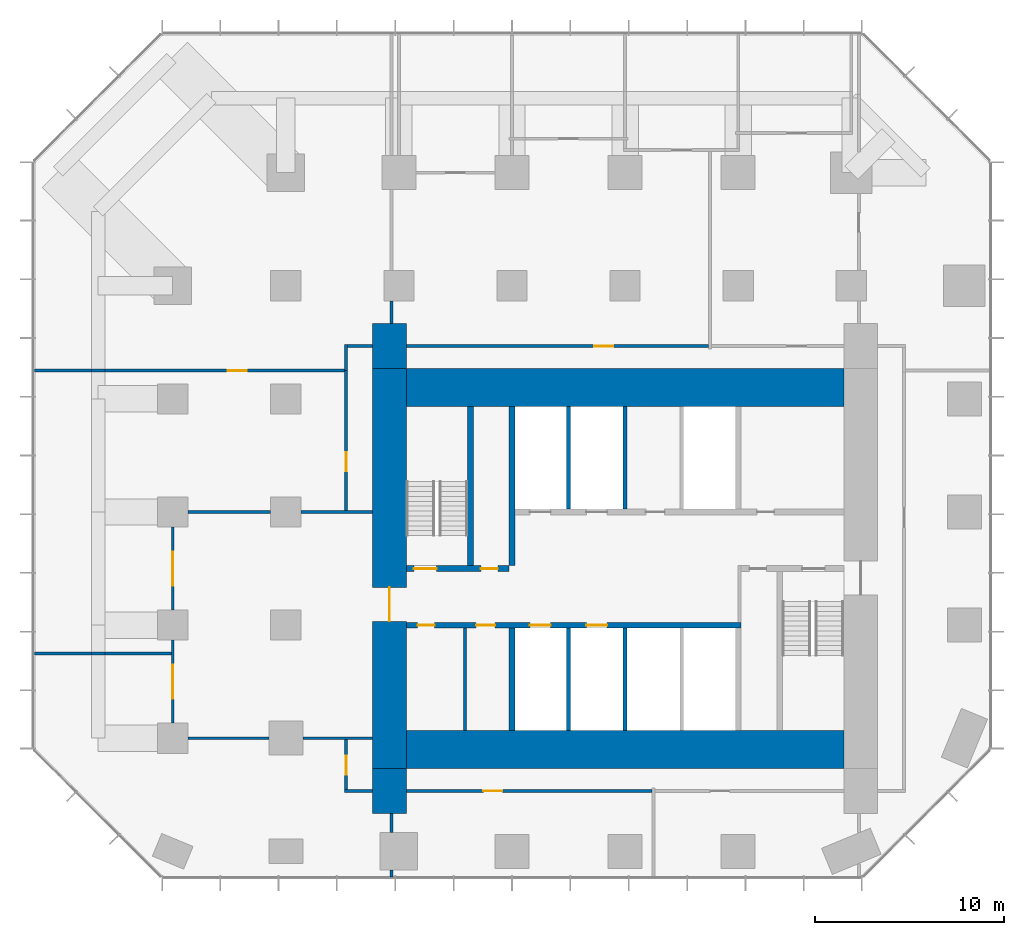
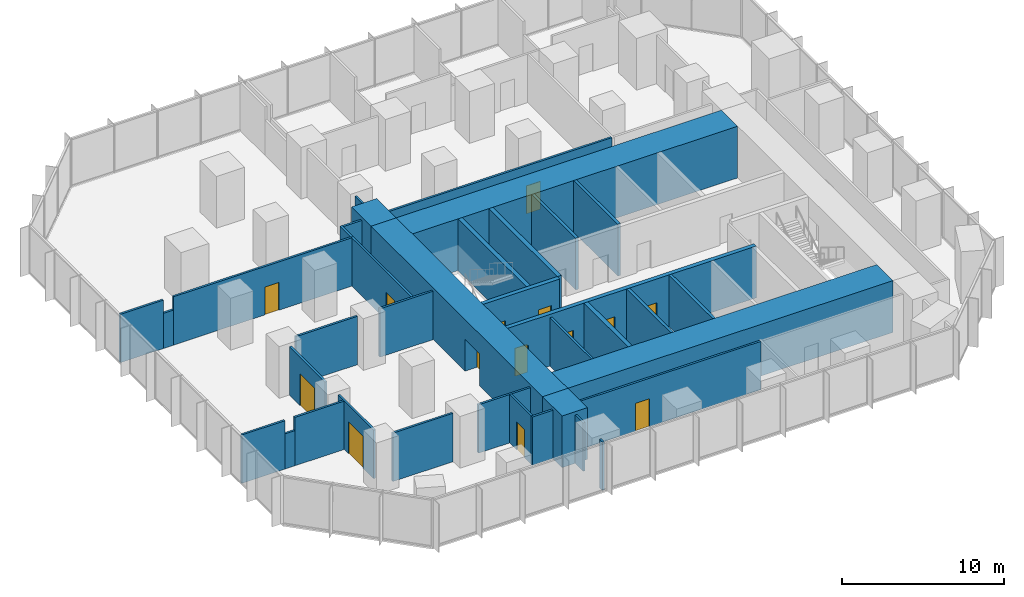
# One storey, part 8 of 11: 37 walls, 14 doors, 14 openings.
"""IFC4 building model written with IfcOpenShell, lengths in metres."""

from ifc_helpers import new_model, si_unit, direction, frame, frame_2d, origin, place, context, subcontext, project, spatial, rectangle, extrude, material, layer, layer_set, type_object, element, fill, save


model = new_model("IFC4")

# Units and contexts
model_context = context("Model", 3, precision=1e-05, world=origin(), true_north=direction((0.0, 1.0)))
body_context = subcontext(model_context, "Body", "Model", "MODEL_VIEW")
ifc_project = project(units=[si_unit("LENGTHUNIT", "METRE"), si_unit("AREAUNIT", "SQUARE_METRE"), si_unit("VOLUMEUNIT", "CUBIC_METRE"), si_unit("PLANEANGLEUNIT", "RADIAN"), si_unit("MASSUNIT", "GRAM", prefix="KILO")], contexts=[model_context])

# Site, building, storey
site_placement = place(None, origin())
site = spatial("IfcSite", under=ifc_project, at=site_placement, CompositionType="ELEMENT")
building_placement = place(site_placement, origin())
building = spatial("IfcBuilding", under=site, at=building_placement, Name="Highveld Stack Headquarters", CompositionType="ELEMENT")
storey_placement = place(building_placement, frame((0.0, 0.0, 93.800048828125)))
storey = spatial("IfcBuildingStorey", under=building, at=storey_placement, Name="L22", CompositionType="ELEMENT", Elevation=93.800048828125)

# Wall, opening, door
ifc_material_1 = material(Name="Concrete C60/75", Category="concrete")
ifc_layer_1 = layer(ifc_material_1, 1.800048828125)
ifc_layer_set_1 = layer_set([ifc_layer_1], Name="Concrete C60/75")
wall_type_1 = type_object("IfcWallType", Name="CORE WALL 1800 C60/75", PredefinedType="SHEAR", material=ifc_layer_set_1)
wall_1_placement = place(storey_placement, frame((-6.5, -7.60009765625, 0.0), z_axis=(0.0, 0.0, 1.0), x_axis=(0.0, 1.0, 0.0)))
wall_1 = element("IfcWall", 1, at=wall_1_placement, inside=storey, type_object=wall_type_1, Name="Core wall W L22", PredefinedType="SHEAR", context=body_context, shape_type="SweptSolid", body=[
    extrude(rectangle(XDim=21.2001953125, YDim=1.800048828125, at=frame_2d((10.60009765625, 0.0))), origin(), (0.0, 0.0, 1.0), 3.89990234375),
])
opening_1_placement = place(wall_1_placement, frame((7.800048828125, 0.0, 0.0)))
opening_1 = element("IfcOpeningElement", 2, at=opening_1_placement, cuts=wall_1, Name="Opening L22-01", PredefinedType="OPENING", context=body_context, shape_type="SweptSolid", body=[
    extrude(rectangle(XDim=1.800048828125, YDim=2.39990234375, at=frame_2d((0.89990234375, 1.199951171875))), frame((0.0, 0.909912109375, 0.0), z_axis=(0.0, -1.0, 0.0), x_axis=(1.0, 0.0, 0.0)), (0.0, 0.0, 1.0), 1.820068359375),
])
ifc_material_2 = material(Name="Steel fire door", Category="steel")
door_type_1 = type_object("IfcDoorType", Name="LOBBY FIRE DOOR D4 1800x2400", OperationType="DOUBLE_DOOR_SINGLE_SWING", PredefinedType="DOOR", material=ifc_material_2)
door_1_placement = place(opening_1_placement, origin())
door_1 = element("IfcDoor", 3, at=door_1_placement, inside=storey, type_object=door_type_1, Name="Core west door L22", OperationType="DOUBLE_DOOR_SINGLE_SWING", OverallHeight=2.39990234375, OverallWidth=1.800048828125, PredefinedType="DOOR", context=body_context, shape_type="SweptSolid", body=[
    extrude(rectangle(XDim=1.800048828125, YDim=2.39990234375, at=frame_2d((0.89990234375, 1.199951171875))), frame((0.0, 0.02490234375, 0.0), z_axis=(0.0, -1.0, 0.0), x_axis=(1.0, 0.0, 0.0)), (0.0, 0.0, 1.0), 0.050048828125),
])
fill(opening_1, door_1)

# Walls
ifc_material_3 = material(Name="Concrete C60/75", Category="concrete")
ifc_layer_2 = layer(ifc_material_3, 2.0)
ifc_layer_set_2 = layer_set([ifc_layer_2], Name="Concrete C60/75")
wall_type_2 = type_object("IfcWallType", Name="CORE WALL 2000 C60/75", PredefinedType="SHEAR", material=ifc_layer_set_2)
for number, where, z_axis, x_axis, name in (
    (4, (-5.60009765625, -6.60009765625, 0.0), (0.0, 0.0, 1.0), (1.0, 0.0, 0.0), "Core wall S L22"),
    (5, (-5.60009765625, 12.60009765625, 0.0), (0.0, 0.0, 1.0), (1.0, 0.0, 0.0), "Core wall N L22"),
):
    element("IfcWall", number, at=place(storey_placement, frame(where, z_axis=z_axis, x_axis=x_axis)), inside=storey, type_object=wall_type_2, Name=name, PredefinedType="SHEAR", context=body_context, shape_type="SweptSolid", body=[
        extrude(rectangle(XDim=23.2001953125, YDim=2.0, at=frame_2d((11.60009765625, 0.0))), origin(), (0.0, 0.0, 1.0), 3.89990234375),
    ])

# Wall, openings, doors
ifc_material_4 = material(Name="Concrete C60/75", Category="concrete")
ifc_layer_3 = layer(ifc_material_4, 0.300048828125)
ifc_layer_set_3 = layer_set([ifc_layer_3], Name="Concrete C60/75")
wall_type_3 = type_object("IfcWallType", Name="CORE WALL 300 C60/75", PredefinedType="SHEAR", material=ifc_layer_set_3)
wall_2_placement = place(storey_placement, frame((-5.60009765625, 0.0, 0.0), z_axis=(0.0, 0.0, 1.0), x_axis=(1.0, 0.0, 0.0)))
wall_2 = element("IfcWall", 6, at=wall_2_placement, inside=storey, type_object=wall_type_3, Name="Core wall I-Y0 L22", PredefinedType="SHEAR", context=body_context, shape_type="SweptSolid", body=[
    extrude(rectangle(XDim=17.75, YDim=0.300048828125, at=frame_2d((8.875, 0.0))), origin(), (0.0, 0.0, 1.0), 3.89990234375),
])
opening_2_placement = place(wall_2_placement, frame((0.60009765625, 0.0, 0.0)))
opening_2 = element("IfcOpeningElement", 7, at=opening_2_placement, cuts=wall_2, Name="Opening L22-07", PredefinedType="OPENING", context=body_context, shape_type="SweptSolid", body=[
    extrude(rectangle(XDim=0.89990234375, YDim=2.10009765625, at=frame_2d((0.449951171875, 1.050048828125))), frame((0.0, 0.159912109375, 0.0), z_axis=(0.0, -1.0, 0.0), x_axis=(1.0, 0.0, 0.0)), (0.0, 0.0, 1.0), 0.320068359375),
])
opening_3_placement = place(wall_2_placement, frame((3.699951171875, 0.0, 0.0)))
opening_3 = element("IfcOpeningElement", 8, at=opening_3_placement, cuts=wall_2, Name="Opening L22-08", PredefinedType="OPENING", context=body_context, shape_type="SweptSolid", body=[
    extrude(rectangle(XDim=1.0, YDim=2.10009765625, at=frame_2d((0.5, 1.050048828125))), frame((0.0, 0.159912109375, 0.0), z_axis=(0.0, -1.0, 0.0), x_axis=(1.0, 0.0, 0.0)), (0.0, 0.0, 1.0), 0.320068359375),
])
opening_4_placement = place(wall_2_placement, frame((6.550048828125, 0.0, 0.0)))
opening_4 = element("IfcOpeningElement", 9, at=opening_4_placement, cuts=wall_2, Name="Opening LD", PredefinedType="OPENING", context=body_context, shape_type="SweptSolid", body=[
    extrude(rectangle(XDim=1.10009765625, YDim=2.10009765625, at=frame_2d((0.550048828125, 1.050048828125))), frame((0.0, 0.159912109375, 0.0), z_axis=(0.0, -1.0, 0.0), x_axis=(1.0, 0.0, 0.0)), (0.0, 0.0, 1.0), 0.320068359375),
])
opening_5_placement = place(wall_2_placement, frame((9.550048828125, 0.0, 0.0)))
opening_5 = element("IfcOpeningElement", 10, at=opening_5_placement, cuts=wall_2, Name="Opening LD", PredefinedType="OPENING", context=body_context, shape_type="SweptSolid", body=[
    extrude(rectangle(XDim=1.10009765625, YDim=2.10009765625, at=frame_2d((0.550048828125, 1.050048828125))), frame((0.0, 0.159912109375, 0.0), z_axis=(0.0, -1.0, 0.0), x_axis=(1.0, 0.0, 0.0)), (0.0, 0.0, 1.0), 0.320068359375),
])
ifc_material_5 = material(Name="Timber door, painted", Category="wood")
door_type_2 = type_object("IfcDoorType", Name="ACCESSIBLE WC DOOR D2 1000x2100", OperationType="SINGLE_SWING_RIGHT", PredefinedType="DOOR", material=ifc_material_5)
door_2_placement = place(opening_3_placement, origin())
door_2 = element("IfcDoor", 11, at=door_2_placement, inside=storey, type_object=door_type_2, Name="Accessible WC door L22", OperationType="SINGLE_SWING_LEFT", OverallHeight=2.10009765625, OverallWidth=1.0, PredefinedType="DOOR", context=body_context, shape_type="SweptSolid", body=[
    extrude(rectangle(XDim=1.0, YDim=2.10009765625, at=frame_2d((0.5, 1.050048828125))), frame((0.0, 0.02490234375, 0.0), z_axis=(0.0, -1.0, 0.0), x_axis=(1.0, 0.0, 0.0)), (0.0, 0.0, 1.0), 0.050048828125),
])
fill(opening_3, door_2)
ifc_material_6 = material(Name="Stainless steel lift landing door", Category="steel")
door_type_3 = type_object("IfcDoorType", Name="LIFT LANDING DOOR LD 1100x2100", OperationType="DOUBLE_DOOR_SLIDING", PredefinedType="USERDEFINED", material=ifc_material_6)
door_3_placement = place(opening_4_placement, origin())
door_3 = element("IfcDoor", 12, at=door_3_placement, inside=storey, type_object=door_type_3, Name="Lift landing door B1 L22", ObjectType="LIFT LANDING DOOR", OperationType="DOUBLE_DOOR_SLIDING", OverallHeight=2.10009765625, OverallWidth=1.10009765625, PredefinedType="USERDEFINED", context=body_context, shape_type="SweptSolid", body=[
    extrude(rectangle(XDim=1.10009765625, YDim=2.10009765625, at=frame_2d((0.550048828125, 1.050048828125))), frame((0.0, 0.02490234375, 0.0), z_axis=(0.0, -1.0, 0.0), x_axis=(1.0, 0.0, 0.0)), (0.0, 0.0, 1.0), 0.050048828125),
])
fill(opening_4, door_3)
door_4_placement = place(opening_5_placement, origin())
door_4 = element("IfcDoor", 13, at=door_4_placement, inside=storey, type_object=door_type_3, Name="Lift landing door B2 L22", ObjectType="LIFT LANDING DOOR", OperationType="DOUBLE_DOOR_SLIDING", OverallHeight=2.10009765625, OverallWidth=1.10009765625, PredefinedType="USERDEFINED", context=body_context, shape_type="SweptSolid", body=[
    extrude(rectangle(XDim=1.10009765625, YDim=2.10009765625, at=frame_2d((0.550048828125, 1.050048828125))), frame((0.0, 0.02490234375, 0.0), z_axis=(0.0, -1.0, 0.0), x_axis=(1.0, 0.0, 0.0)), (0.0, 0.0, 1.0), 0.050048828125),
])
fill(opening_5, door_4)
ifc_material_7 = material(Name="Timber door, painted", Category="wood")
door_type_4 = type_object("IfcDoorType", Name="WC DOOR D1 900x2100", OperationType="SINGLE_SWING_LEFT", PredefinedType="DOOR", material=ifc_material_7)
door_5_placement = place(opening_2_placement, origin())
door_5 = element("IfcDoor", 14, at=door_5_placement, inside=storey, type_object=door_type_4, Name="Female WC door L22", OperationType="SINGLE_SWING_LEFT", OverallHeight=2.10009765625, OverallWidth=0.89990234375, PredefinedType="DOOR", context=body_context, shape_type="SweptSolid", body=[
    extrude(rectangle(XDim=0.89990234375, YDim=2.10009765625, at=frame_2d((0.449951171875, 1.050048828125))), frame((0.0, 0.02490234375, 0.0), z_axis=(0.0, -1.0, 0.0), x_axis=(1.0, 0.0, 0.0)), (0.0, 0.0, 1.0), 0.050048828125),
])
fill(opening_2, door_5)

wall_3_placement = place(storey_placement, frame((-5.60009765625, 3.0, 0.0), z_axis=(0.0, 0.0, 1.0), x_axis=(1.0, 0.0, 0.0)))
wall_3 = element("IfcWall", 15, at=wall_3_placement, inside=storey, type_object=wall_type_3, Name="Core wall I-Y3W L22", PredefinedType="SHEAR", context=body_context, shape_type="SweptSolid", body=[
    extrude(rectangle(XDim=5.4501953125, YDim=0.300048828125, at=frame_2d((2.72509765625, 0.0))), origin(), (0.0, 0.0, 1.0), 3.89990234375),
])
opening_6_placement = place(wall_3_placement, frame((0.39990234375, 0.0, 0.0)))
opening_6 = element("IfcOpeningElement", 16, at=opening_6_placement, cuts=wall_3, Name="Opening L22-03", PredefinedType="OPENING", context=body_context, shape_type="SweptSolid", body=[
    extrude(rectangle(XDim=1.199951171875, YDim=2.10009765625, at=frame_2d((0.60009765625, 1.050048828125))), frame((0.0, 0.159912109375, 0.0), z_axis=(0.0, -1.0, 0.0), x_axis=(1.0, 0.0, 0.0)), (0.0, 0.0, 1.0), 0.320068359375),
])
opening_7_placement = place(wall_3_placement, frame((3.949951171875, 0.0, 0.0)))
opening_7 = element("IfcOpeningElement", 17, at=opening_7_placement, cuts=wall_3, Name="Opening L22-04", PredefinedType="OPENING", context=body_context, shape_type="SweptSolid", body=[
    extrude(rectangle(XDim=0.89990234375, YDim=2.10009765625, at=frame_2d((0.449951171875, 1.050048828125))), frame((0.0, 0.159912109375, 0.0), z_axis=(0.0, -1.0, 0.0), x_axis=(1.0, 0.0, 0.0)), (0.0, 0.0, 1.0), 0.320068359375),
])
ifc_material_8 = material(Name="Steel fire door", Category="steel")
door_type_5 = type_object("IfcDoorType", Name="RISER ACCESS DOOR D5 900x2100", OperationType="SINGLE_SWING_LEFT", PredefinedType="DOOR", material=ifc_material_8)
door_6_placement = place(opening_7_placement, origin())
door_6 = element("IfcDoor", 18, at=door_6_placement, inside=storey, type_object=door_type_5, Name="Riser R1 door L22", OperationType="SINGLE_SWING_RIGHT", OverallHeight=2.10009765625, OverallWidth=0.89990234375, PredefinedType="DOOR", context=body_context, shape_type="SweptSolid", body=[
    extrude(rectangle(XDim=0.89990234375, YDim=2.10009765625, at=frame_2d((0.449951171875, 1.050048828125))), frame((0.0, 0.02490234375, 0.0), z_axis=(0.0, -1.0, 0.0), x_axis=(1.0, 0.0, 0.0)), (0.0, 0.0, 1.0), 0.050048828125),
])
fill(opening_7, door_6)
ifc_material_9 = material(Name="Steel fire door", Category="steel")
door_type_6 = type_object("IfcDoorType", Name="STAIR FIRE DOOR D3 1200x2100", OperationType="SINGLE_SWING_LEFT", PredefinedType="DOOR", material=ifc_material_9)
door_7_placement = place(opening_6_placement, origin())
door_7 = element("IfcDoor", 19, at=door_7_placement, inside=storey, type_object=door_type_6, Name="Stair S1 door L22", OperationType="SINGLE_SWING_LEFT", OverallHeight=2.10009765625, OverallWidth=1.199951171875, PredefinedType="DOOR", context=body_context, shape_type="SweptSolid", body=[
    extrude(rectangle(XDim=1.199951171875, YDim=2.10009765625, at=frame_2d((0.60009765625, 1.050048828125))), frame((0.0, 0.02490234375, 0.0), z_axis=(0.0, -1.0, 0.0), x_axis=(1.0, 0.0, 0.0)), (0.0, 0.0, 1.0), 0.050048828125),
])
fill(opening_6, door_7)

# Walls
wall_4_placement = place(storey_placement, frame((0.0, -5.60009765625, 0.0), z_axis=(0.0, 0.0, 1.0), x_axis=(0.0, 1.0, 0.0)))
element("IfcWall", 20, at=wall_4_placement, inside=storey, type_object=wall_type_3, Name="Core wall I-X0S L22", PredefinedType="SHEAR", context=body_context, shape_type="SweptSolid", body=[
    extrude(rectangle(XDim=5.4501953125, YDim=0.300048828125, at=frame_2d((2.72509765625, 0.0))), origin(), (0.0, 0.0, 1.0), 3.89990234375),
])
for number, where, z_axis, x_axis, name in (
    (21, (0.0, 3.14990234375, 0.0), (0.0, 0.0, 1.0), (0.0, 1.0, 0.0), "Core wall I-X0N L22"),
    (22, (-2.199951171875, 3.14990234375, 0.0), (0.0, 0.0, 1.0), (0.0, 1.0, 0.0), "Core wall I-RW L22"),
):
    element("IfcWall", number, at=place(storey_placement, frame(where, z_axis=z_axis, x_axis=x_axis)), inside=storey, type_object=wall_type_3, Name=name, PredefinedType="SHEAR", context=body_context, shape_type="SweptSolid", body=[
        extrude(rectangle(XDim=8.4501953125, YDim=0.300048828125, at=frame_2d((4.22509765625, 0.0))), origin(), (0.0, 0.0, 1.0), 3.89990234375),
    ])
ifc_material_10 = material(Name="Concrete C60/75", Category="concrete")
ifc_layer_4 = layer(ifc_material_10, 1.800048828125)
ifc_layer_set_4 = layer_set([ifc_layer_4], Name="Concrete C60/75")
wall_type_4 = type_object("IfcWallType", Name="CORE WING WALL 1800 C60/75", PredefinedType="SHEAR", material=ifc_layer_set_4)
for number, where, z_axis, x_axis, name in (
    (23, (-6.5, -10.0, 0.0), (0.0, 0.0, 1.0), (0.0, 1.0, 0.0), "Core wing wall WS L22"),
    (24, (-6.5, 13.60009765625, 0.0), (0.0, 0.0, 1.0), (0.0, 1.0, 0.0), "Core wing wall WN L22"),
):
    element("IfcWall", number, at=place(storey_placement, frame(where, z_axis=z_axis, x_axis=x_axis)), inside=storey, type_object=wall_type_4, Name=name, PredefinedType="SHEAR", context=body_context, shape_type="SweptSolid", body=[
        extrude(rectangle(XDim=2.39990234375, YDim=1.800048828125, at=frame_2d((1.199951171875, 0.0))), origin(), (0.0, 0.0, 1.0), 3.89990234375),
    ])
ifc_material_11 = material(Name="Concrete blockwork, plastered", Category="masonry")
ifc_layer_5 = layer(ifc_material_11, 0.14990234375)
ifc_layer_set_5 = layer_set([ifc_layer_5], Name="Concrete blockwork, plastered")
wall_type_5 = type_object("IfcWallType", Name="FIRE PARTITION 150 BLOCKWORK", PredefinedType="PARTITIONING", material=ifc_layer_set_5)
wall_5_placement = place(storey_placement, frame((-17.199951171875, -6.0, 0.0), z_axis=(0.0, 0.0, 1.0), x_axis=(1.0, 0.0, 0.0)))
element("IfcWall", 25, at=wall_5_placement, inside=storey, type_object=wall_type_5, Name="Partition Sky lobby L22", PredefinedType="PARTITIONING", context=body_context, shape_type="SweptSolid", body=[
    extrude(rectangle(XDim=4.300048828125, YDim=0.14990234375, at=frame_2d((2.14990234375, 0.0))), origin(), (0.0, 0.0, 1.0), 3.64990234375),
])
wall_6_placement = place(storey_placement, frame((-11.10009765625, -6.0, 0.0), z_axis=(0.0, 0.0, 1.0), x_axis=(1.0, 0.0, 0.0)))
element("IfcWall", 26, at=wall_6_placement, inside=storey, type_object=wall_type_5, Name="Partition Sky lobby L22", PredefinedType="PARTITIONING", context=body_context, shape_type="SweptSolid", body=[
    extrude(rectangle(XDim=3.7001953125, YDim=0.14990234375, at=frame_2d((1.85009765625, 0.0))), origin(), (0.0, 0.0, 1.0), 3.64990234375),
])
wall_7_placement = place(storey_placement, frame((-17.199951171875, 6.0, 0.0), z_axis=(0.0, 0.0, 1.0), x_axis=(1.0, 0.0, 0.0)))
element("IfcWall", 27, at=wall_7_placement, inside=storey, type_object=wall_type_5, Name="Partition Sky lobby L22", PredefinedType="PARTITIONING", context=body_context, shape_type="SweptSolid", body=[
    extrude(rectangle(XDim=4.39990234375, YDim=0.14990234375, at=frame_2d((2.199951171875, 0.0))), origin(), (0.0, 0.0, 1.0), 3.64990234375),
])
wall_8_placement = place(storey_placement, frame((-11.199951171875, 6.0, 0.0), z_axis=(0.0, 0.0, 1.0), x_axis=(1.0, 0.0, 0.0)))
element("IfcWall", 28, at=wall_8_placement, inside=storey, type_object=wall_type_5, Name="Partition Sky lobby L22", PredefinedType="PARTITIONING", context=body_context, shape_type="SweptSolid", body=[
    extrude(rectangle(XDim=3.800048828125, YDim=0.14990234375, at=frame_2d((1.89990234375, 0.0))), origin(), (0.0, 0.0, 1.0), 3.64990234375),
])

# Wall, opening, door
wall_9_placement = place(storey_placement, frame((-18.0, -5.199951171875, 0.0), z_axis=(0.0, 0.0, 1.0), x_axis=(0.0, 1.0, 0.0)))
wall_9 = element("IfcWall", 29, at=wall_9_placement, inside=storey, type_object=wall_type_5, Name="Partition Sky lobby L22", PredefinedType="PARTITIONING", context=body_context, shape_type="SweptSolid", body=[
    extrude(rectangle(XDim=4.39990234375, YDim=0.14990234375, at=frame_2d((2.199951171875, 0.0))), origin(), (0.0, 0.0, 1.0), 3.64990234375),
])
opening_8_placement = place(wall_9_placement, frame((1.300048828125, 0.0, 0.0)))
opening_8 = element("IfcOpeningElement", 30, at=opening_8_placement, cuts=wall_9, Name="Opening L22-11", PredefinedType="OPENING", context=body_context, shape_type="SweptSolid", body=[
    extrude(rectangle(XDim=1.800048828125, YDim=2.39990234375, at=frame_2d((0.89990234375, 1.199951171875))), frame((0.0, 0.0849609375, 0.0), z_axis=(0.0, -1.0, 0.0), x_axis=(1.0, 0.0, 0.0)), (0.0, 0.0, 1.0), 0.169921875),
])
door_8_placement = place(opening_8_placement, origin())
door_8 = element("IfcDoor", 31, at=door_8_placement, inside=storey, type_object=door_type_1, Name="Sky lobby door 1 L22", OperationType="DOUBLE_DOOR_SINGLE_SWING", OverallHeight=2.39990234375, OverallWidth=1.800048828125, PredefinedType="DOOR", context=body_context, shape_type="SweptSolid", body=[
    extrude(rectangle(XDim=1.800048828125, YDim=2.39990234375, at=frame_2d((0.89990234375, 1.199951171875))), frame((0.0, 0.02490234375, 0.0), z_axis=(0.0, -1.0, 0.0), x_axis=(1.0, 0.0, 0.0)), (0.0, 0.0, 1.0), 0.050048828125),
])
fill(opening_8, door_8)

wall_10_placement = place(storey_placement, frame((-18.0, 0.800048828125, 0.0), z_axis=(0.0, 0.0, 1.0), x_axis=(0.0, 1.0, 0.0)))
wall_10 = element("IfcWall", 32, at=wall_10_placement, inside=storey, type_object=wall_type_5, Name="Partition Sky lobby L22", PredefinedType="PARTITIONING", context=body_context, shape_type="SweptSolid", body=[
    extrude(rectangle(XDim=4.39990234375, YDim=0.14990234375, at=frame_2d((2.199951171875, 0.0))), origin(), (0.0, 0.0, 1.0), 3.64990234375),
])
opening_9_placement = place(wall_10_placement, frame((1.300048828125, 0.0, 0.0)))
opening_9 = element("IfcOpeningElement", 33, at=opening_9_placement, cuts=wall_10, Name="Opening L22-12", PredefinedType="OPENING", context=body_context, shape_type="SweptSolid", body=[
    extrude(rectangle(XDim=1.800048828125, YDim=2.39990234375, at=frame_2d((0.89990234375, 1.199951171875))), frame((0.0, 0.0849609375, 0.0), z_axis=(0.0, -1.0, 0.0), x_axis=(1.0, 0.0, 0.0)), (0.0, 0.0, 1.0), 0.169921875),
])
door_9_placement = place(opening_9_placement, origin())
door_9 = element("IfcDoor", 34, at=door_9_placement, inside=storey, type_object=door_type_1, Name="Sky lobby door 2 L22", OperationType="DOUBLE_DOOR_SINGLE_SWING", OverallHeight=2.39990234375, OverallWidth=1.800048828125, PredefinedType="DOOR", context=body_context, shape_type="SweptSolid", body=[
    extrude(rectangle(XDim=1.800048828125, YDim=2.39990234375, at=frame_2d((0.89990234375, 1.199951171875))), frame((0.0, 0.02490234375, 0.0), z_axis=(0.0, -1.0, 0.0), x_axis=(1.0, 0.0, 0.0)), (0.0, 0.0, 1.0), 0.050048828125),
])
fill(opening_9, door_9)

# Walls
ifc_material_12 = material(Name="Concrete blockwork, fair-faced", Category="masonry")
ifc_layer_6 = layer(ifc_material_12, 0.199951171875)
ifc_layer_set_6 = layer_set([ifc_layer_6], Name="Concrete blockwork, fair-faced")
wall_type_6 = type_object("IfcWallType", Name="LIFT SHAFT ENCLOSURE WALL 200 BLOCKWORK", PredefinedType="SOLIDWALL", material=ifc_layer_set_6)
for number, where, z_axis, x_axis, name in (
    (35, (3.0, 6.14990234375, 0.0), (0.0, 0.0, 1.0), (0.0, 1.0, 0.0), "Lift shaft wall L22"),
    (36, (6.0, 6.14990234375, 0.0), (0.0, 0.0, 1.0), (0.0, 1.0, 0.0), "Lift shaft wall L22"),
    (37, (3.0, -5.60009765625, 0.0), (0.0, 0.0, 1.0), (0.0, 1.0, 0.0), "Lift shaft wall L22"),
    (38, (6.0, -5.60009765625, 0.0), (0.0, 0.0, 1.0), (0.0, 1.0, 0.0), "Lift shaft wall L22"),
):
    element("IfcWall", number, at=place(storey_placement, frame(where, z_axis=z_axis, x_axis=x_axis)), inside=storey, type_object=wall_type_6, Name=name, PredefinedType="SOLIDWALL", context=body_context, shape_type="SweptSolid", body=[
        extrude(rectangle(XDim=5.4501953125, YDim=0.199951171875, at=frame_2d((2.72509765625, 0.0))), origin(), (0.0, 0.0, 1.0), 3.89990234375),
    ])
ifc_material_13 = material(Name="Gypsum plasterboard on steel studs", Category="steel")
ifc_layer_7 = layer(ifc_material_13, 0.14990234375)
ifc_layer_set_7 = layer_set([ifc_layer_7], Name="Gypsum plasterboard on steel studs")
wall_type_7 = type_object("IfcWallType", Name="PARTITION 150 PLASTERBOARD", PredefinedType="PARTITIONING", material=ifc_layer_set_7)
wall_11_placement = place(storey_placement, frame((-25.375, -1.5, 0.0), z_axis=(0.0, 0.0, 1.0), x_axis=(1.0, 0.0, 0.0)))
element("IfcWall", 39, at=wall_11_placement, inside=storey, type_object=wall_type_7, Name="Partition office neighbourhood L22", PredefinedType="PARTITIONING", context=body_context, shape_type="SweptSolid", body=[
    extrude(rectangle(XDim=3.06494140625, YDim=0.14990234375, at=frame_2d((1.532470703125, 0.0))), origin(), (0.0, 0.0, 1.0), 3.64990234375),
])
wall_12_placement = place(storey_placement, frame((-22.31005859375, -1.5, 0.0), z_axis=(0.0, 0.0, 1.0), x_axis=(1.0, 0.0, 0.0)))
element("IfcWall", 40, at=wall_12_placement, inside=storey, type_object=wall_type_7, Name="Partition office neighbourhood L22", PredefinedType="PARTITIONING", context=body_context, shape_type="SweptSolid", body=[
    extrude(rectangle(XDim=0.719970703125, YDim=0.14990234375, at=frame_2d((0.35986328125, 0.0))), origin(), (0.0, 0.0, 1.0), 2.64990234375),
])
wall_13_placement = place(storey_placement, frame((-21.590087890625, -1.5, 0.0), z_axis=(0.0, 0.0, 1.0), x_axis=(1.0, 0.0, 0.0)))
element("IfcWall", 41, at=wall_13_placement, inside=storey, type_object=wall_type_7, Name="Partition office neighbourhood L22", PredefinedType="PARTITIONING", context=body_context, shape_type="SweptSolid", body=[
    extrude(rectangle(XDim=3.51513671875, YDim=0.14990234375, at=frame_2d((1.757568359375, 0.0))), origin(), (0.0, 0.0, 1.0), 3.64990234375),
])
wall_14_placement = place(storey_placement, frame((-25.375, 13.5, 0.0), z_axis=(0.0, 0.0, 1.0), x_axis=(1.0, 0.0, 0.0)))
element("IfcWall", 42, at=wall_14_placement, inside=storey, type_object=wall_type_7, Name="Partition office neighbourhood L22", PredefinedType="PARTITIONING", context=body_context, shape_type="SweptSolid", body=[
    extrude(rectangle(XDim=3.06494140625, YDim=0.14990234375, at=frame_2d((1.532470703125, 0.0))), origin(), (0.0, 0.0, 1.0), 3.64990234375),
])
wall_15_placement = place(storey_placement, frame((-22.31005859375, 13.5, 0.0), z_axis=(0.0, 0.0, 1.0), x_axis=(1.0, 0.0, 0.0)))
element("IfcWall", 43, at=wall_15_placement, inside=storey, type_object=wall_type_7, Name="Partition office neighbourhood L22", PredefinedType="PARTITIONING", context=body_context, shape_type="SweptSolid", body=[
    extrude(rectangle(XDim=0.719970703125, YDim=0.14990234375, at=frame_2d((0.35986328125, 0.0))), origin(), (0.0, 0.0, 1.0), 2.64990234375),
])

# Wall, opening, door
wall_16_placement = place(storey_placement, frame((-21.590087890625, 13.5, 0.0), z_axis=(0.0, 0.0, 1.0), x_axis=(1.0, 0.0, 0.0)))
wall_16 = element("IfcWall", 44, at=wall_16_placement, inside=storey, type_object=wall_type_7, Name="Partition office neighbourhood L22", PredefinedType="PARTITIONING", context=body_context, shape_type="SweptSolid", body=[
    extrude(rectangle(XDim=12.715087890625, YDim=0.14990234375, at=frame_2d((6.357421875, 0.0))), origin(), (0.0, 0.0, 1.0), 3.64990234375),
])
opening_10_placement = place(wall_16_placement, frame((6.514892578125, 0.0, 0.0)))
opening_10 = element("IfcOpeningElement", 45, at=opening_10_placement, cuts=wall_16, Name="Opening L22-25", PredefinedType="OPENING", context=body_context, shape_type="SweptSolid", body=[
    extrude(rectangle(XDim=1.0, YDim=2.10009765625, at=frame_2d((0.5, 1.050048828125))), frame((0.0, 0.0849609375, 0.0), z_axis=(0.0, -1.0, 0.0), x_axis=(1.0, 0.0, 0.0)), (0.0, 0.0, 1.0), 0.169921875),
])
ifc_material_14 = material(Name="Timber door, oiled ash", Category="wood")
door_type_7 = type_object("IfcDoorType", Name="ROOM DOOR D6 1000x2100", OperationType="SINGLE_SWING_LEFT", PredefinedType="DOOR", material=ifc_material_14)
door_10_placement = place(opening_10_placement, origin())
door_10 = element("IfcDoor", 46, at=door_10_placement, inside=storey, type_object=door_type_7, Name="Office neighbourhood door L22", OperationType="SINGLE_SWING_RIGHT", OverallHeight=2.10009765625, OverallWidth=1.0, PredefinedType="DOOR", context=body_context, shape_type="SweptSolid", body=[
    extrude(rectangle(XDim=1.0, YDim=2.10009765625, at=frame_2d((0.5, 1.050048828125))), frame((0.0, 0.02490234375, 0.0), z_axis=(0.0, -1.0, 0.0), x_axis=(1.0, 0.0, 0.0)), (0.0, 0.0, 1.0), 0.050048828125),
])
fill(opening_10, door_10)

wall_17_placement = place(storey_placement, frame((-8.800048828125, -8.72509765625, 0.0), z_axis=(0.0, 0.0, 1.0), x_axis=(0.0, 1.0, 0.0)))
wall_17 = element("IfcWall", 47, at=wall_17_placement, inside=storey, type_object=wall_type_7, Name="Partition office neighbourhood L22", PredefinedType="PARTITIONING", context=body_context, shape_type="SweptSolid", body=[
    extrude(rectangle(XDim=2.650146484375, YDim=0.14990234375, at=frame_2d((1.3251953125, 0.0))), origin(), (0.0, 0.0, 1.0), 3.64990234375),
])
opening_11_placement = place(wall_17_placement, frame((0.7880859375, 0.0, 0.0)))
opening_11 = element("IfcOpeningElement", 48, at=opening_11_placement, cuts=wall_17, Name="Opening L22-19", PredefinedType="OPENING", context=body_context, shape_type="SweptSolid", body=[
    extrude(rectangle(XDim=1.0, YDim=2.10009765625, at=frame_2d((0.5, 1.050048828125))), frame((0.0, 0.0849609375, 0.0), z_axis=(0.0, -1.0, 0.0), x_axis=(1.0, 0.0, 0.0)), (0.0, 0.0, 1.0), 0.169921875),
])
door_11_placement = place(opening_11_placement, origin())
door_11 = element("IfcDoor", 49, at=door_11_placement, inside=storey, type_object=door_type_7, Name="Office neighbourhood door L22", OperationType="SINGLE_SWING_LEFT", OverallHeight=2.10009765625, OverallWidth=1.0, PredefinedType="DOOR", context=body_context, shape_type="SweptSolid", body=[
    extrude(rectangle(XDim=1.0, YDim=2.10009765625, at=frame_2d((0.5, 1.050048828125))), frame((0.0, 0.02490234375, 0.0), z_axis=(0.0, -1.0, 0.0), x_axis=(1.0, 0.0, 0.0)), (0.0, 0.0, 1.0), 0.050048828125),
])
fill(opening_11, door_11)

# Wall
wall_18_placement = place(storey_placement, frame((-8.875, -8.800048828125, 0.0), z_axis=(0.0, 0.0, 1.0), x_axis=(1.0, 0.0, 0.0)))
element("IfcWall", 50, at=wall_18_placement, inside=storey, type_object=wall_type_7, Name="Partition office neighbourhood L22", PredefinedType="PARTITIONING", context=body_context, shape_type="SweptSolid", body=[
    extrude(rectangle(XDim=1.47509765625, YDim=0.14990234375, at=frame_2d((0.737548828125, 0.0))), origin(), (0.0, 0.0, 1.0), 3.64990234375),
])

# Wall, opening, door
wall_19_placement = place(storey_placement, frame((-8.800048828125, 6.074951171875, 0.0), z_axis=(0.0, 0.0, 1.0), x_axis=(0.0, 1.0, 0.0)))
wall_19 = element("IfcWall", 51, at=wall_19_placement, inside=storey, type_object=wall_type_7, Name="Partition office neighbourhood L22", PredefinedType="PARTITIONING", context=body_context, shape_type="SweptSolid", body=[
    extrude(rectangle(XDim=7.425048828125, YDim=0.14990234375, at=frame_2d((3.71240234375, 0.0))), origin(), (0.0, 0.0, 1.0), 3.64990234375),
])
opening_12_placement = place(wall_19_placement, frame((2.09912109375, 0.0, 0.0)))
opening_12 = element("IfcOpeningElement", 52, at=opening_12_placement, cuts=wall_19, Name="Opening L22-21", PredefinedType="OPENING", context=body_context, shape_type="SweptSolid", body=[
    extrude(rectangle(XDim=1.0, YDim=2.10009765625, at=frame_2d((0.5, 1.050048828125))), frame((0.0, 0.0849609375, 0.0), z_axis=(0.0, -1.0, 0.0), x_axis=(1.0, 0.0, 0.0)), (0.0, 0.0, 1.0), 0.169921875),
])
door_12_placement = place(opening_12_placement, origin())
door_12 = element("IfcDoor", 53, at=door_12_placement, inside=storey, type_object=door_type_7, Name="Office neighbourhood door L22", OperationType="SINGLE_SWING_LEFT", OverallHeight=2.10009765625, OverallWidth=1.0, PredefinedType="DOOR", context=body_context, shape_type="SweptSolid", body=[
    extrude(rectangle(XDim=1.0, YDim=2.10009765625, at=frame_2d((0.5, 1.050048828125))), frame((0.0, 0.02490234375, 0.0), z_axis=(0.0, -1.0, 0.0), x_axis=(1.0, 0.0, 0.0)), (0.0, 0.0, 1.0), 0.050048828125),
])
fill(opening_12, door_12)

# Walls
wall_20_placement = place(storey_placement, frame((-8.800048828125, 13.5, 0.0), z_axis=(0.0, 0.0, 1.0), x_axis=(0.0, 1.0, 0.0)))
element("IfcWall", 54, at=wall_20_placement, inside=storey, type_object=wall_type_7, Name="Partition office neighbourhood L22", PredefinedType="PARTITIONING", context=body_context, shape_type="SweptSolid", body=[
    extrude(rectangle(XDim=1.375, YDim=0.14990234375, at=frame_2d((0.6875, 0.0))), origin(), (0.0, 0.0, 1.0), 3.64990234375),
])
wall_21_placement = place(storey_placement, frame((-8.72509765625, 14.800048828125, 0.0), z_axis=(0.0, 0.0, 1.0), x_axis=(1.0, 0.0, 0.0)))
element("IfcWall", 55, at=wall_21_placement, inside=storey, type_object=wall_type_7, Name="Partition office neighbourhood L22", PredefinedType="PARTITIONING", context=body_context, shape_type="SweptSolid", body=[
    extrude(rectangle(XDim=1.3251953125, YDim=0.14990234375, at=frame_2d((0.66259765625, 0.0))), origin(), (0.0, 0.0, 1.0), 3.64990234375),
])
wall_22_placement = place(storey_placement, frame((-6.39990234375, -13.375, 0.0), z_axis=(0.0, 0.0, 1.0), x_axis=(0.0, 1.0, 0.0)))
element("IfcWall", 56, at=wall_22_placement, inside=storey, type_object=wall_type_7, Name="Partition office neighbourhood L22", PredefinedType="PARTITIONING", context=body_context, shape_type="SweptSolid", body=[
    extrude(rectangle(XDim=0.375, YDim=0.14990234375, at=frame_2d((0.1875, 0.0))), origin(), (0.0, 0.0, 1.0), 3.64990234375),
])
wall_23_placement = place(storey_placement, frame((-6.39990234375, -11.0, 0.0), z_axis=(0.0, 0.0, 1.0), x_axis=(0.0, 1.0, 0.0)))
element("IfcWall", 57, at=wall_23_placement, inside=storey, type_object=wall_type_7, Name="Partition office neighbourhood L22", PredefinedType="PARTITIONING", context=body_context, shape_type="SweptSolid", body=[
    extrude(rectangle(XDim=1.0, YDim=0.14990234375, at=frame_2d((0.5, 0.0))), origin(), (0.0, 0.0, 1.0), 3.64990234375),
])
wall_24_placement = place(storey_placement, frame((-6.39990234375, 16.0, 0.0), z_axis=(0.0, 0.0, 1.0), x_axis=(0.0, 1.0, 0.0)))
element("IfcWall", 58, at=wall_24_placement, inside=storey, type_object=wall_type_7, Name="Partition office neighbourhood L22", PredefinedType="PARTITIONING", context=body_context, shape_type="SweptSolid", body=[
    extrude(rectangle(XDim=1.199951171875, YDim=0.14990234375, at=frame_2d((0.60009765625, 0.0))), origin(), (0.0, 0.0, 1.0), 3.64990234375),
])

# Wall, opening, door
wall_25_placement = place(storey_placement, frame((-5.60009765625, -8.800048828125, 0.0), z_axis=(0.0, 0.0, 1.0), x_axis=(1.0, 0.0, 0.0)))
wall_25 = element("IfcWall", 59, at=wall_25_placement, inside=storey, type_object=wall_type_7, Name="Partition office neighbourhood L22", PredefinedType="PARTITIONING", context=body_context, shape_type="SweptSolid", body=[
    extrude(rectangle(XDim=13.025146484375, YDim=0.14990234375, at=frame_2d((6.5126953125, 0.0))), origin(), (0.0, 0.0, 1.0), 3.64990234375),
])
opening_13_placement = place(wall_25_placement, frame((4.0849609375, 0.0, 0.0)))
opening_13 = element("IfcOpeningElement", 60, at=opening_13_placement, cuts=wall_25, Name="Opening L22-17", PredefinedType="OPENING", context=body_context, shape_type="SweptSolid", body=[
    extrude(rectangle(XDim=1.0, YDim=2.10009765625, at=frame_2d((0.5, 1.050048828125))), frame((0.0, 0.0849609375, 0.0), z_axis=(0.0, -1.0, 0.0), x_axis=(1.0, 0.0, 0.0)), (0.0, 0.0, 1.0), 0.169921875),
])
door_13_placement = place(opening_13_placement, origin())
door_13 = element("IfcDoor", 61, at=door_13_placement, inside=storey, type_object=door_type_7, Name="Office neighbourhood door L22", OperationType="SINGLE_SWING_LEFT", OverallHeight=2.10009765625, OverallWidth=1.0, PredefinedType="DOOR", context=body_context, shape_type="SweptSolid", body=[
    extrude(rectangle(XDim=1.0, YDim=2.10009765625, at=frame_2d((0.5, 1.050048828125))), frame((0.0, 0.02490234375, 0.0), z_axis=(0.0, -1.0, 0.0), x_axis=(1.0, 0.0, 0.0)), (0.0, 0.0, 1.0), 0.050048828125),
])
fill(opening_13, door_13)

wall_26_placement = place(storey_placement, frame((-5.60009765625, 14.800048828125, 0.0), z_axis=(0.0, 0.0, 1.0), x_axis=(1.0, 0.0, 0.0)))
wall_26 = element("IfcWall", 62, at=wall_26_placement, inside=storey, type_object=wall_type_7, Name="Partition office neighbourhood L22", PredefinedType="PARTITIONING", context=body_context, shape_type="SweptSolid", body=[
    extrude(rectangle(XDim=16.025146484375, YDim=0.14990234375, at=frame_2d((8.0126953125, 0.0))), origin(), (0.0, 0.0, 1.0), 3.64990234375),
])
opening_14_placement = place(wall_26_placement, frame((9.965087890625, 0.0, 0.0)))
opening_14 = element("IfcOpeningElement", 63, at=opening_14_placement, cuts=wall_26, Name="Opening L22-22", PredefinedType="OPENING", context=body_context, shape_type="SweptSolid", body=[
    extrude(rectangle(XDim=1.0, YDim=2.10009765625, at=frame_2d((0.5, 1.050048828125))), frame((0.0, 0.0849609375, 0.0), z_axis=(0.0, -1.0, 0.0), x_axis=(1.0, 0.0, 0.0)), (0.0, 0.0, 1.0), 0.169921875),
])
door_14_placement = place(opening_14_placement, origin())
door_14 = element("IfcDoor", 64, at=door_14_placement, inside=storey, type_object=door_type_7, Name="Office neighbourhood door L22", OperationType="SINGLE_SWING_RIGHT", OverallHeight=2.10009765625, OverallWidth=1.0, PredefinedType="DOOR", context=body_context, shape_type="SweptSolid", body=[
    extrude(rectangle(XDim=1.0, YDim=2.10009765625, at=frame_2d((0.5, 1.050048828125))), frame((0.0, 0.02490234375, 0.0), z_axis=(0.0, -1.0, 0.0), x_axis=(1.0, 0.0, 0.0)), (0.0, 0.0, 1.0), 0.050048828125),
])
fill(opening_14, door_14)

# Wall
ifc_material_15 = material(Name="Concrete blockwork, tiled", Category="masonry")
ifc_layer_8 = layer(ifc_material_15, 0.14990234375)
ifc_layer_set_8 = layer_set([ifc_layer_8], Name="Concrete blockwork, tiled")
wall_type_8 = type_object("IfcWallType", Name="WC PARTITION 150", PredefinedType="PLUMBINGWALL", material=ifc_layer_set_8)
wall_27_placement = place(storey_placement, frame((-2.5, -5.60009765625, 0.0), z_axis=(0.0, 0.0, 1.0), x_axis=(0.0, 1.0, 0.0)))
element("IfcWall", 65, at=wall_27_placement, inside=storey, type_object=wall_type_8, Name="Toilet partition L22", PredefinedType="PLUMBINGWALL", context=body_context, shape_type="SweptSolid", body=[
    extrude(rectangle(XDim=5.4501953125, YDim=0.14990234375, at=frame_2d((2.72509765625, 0.0))), origin(), (0.0, 0.0, 1.0), 3.64990234375),
])

save(model, "model.ifc")
